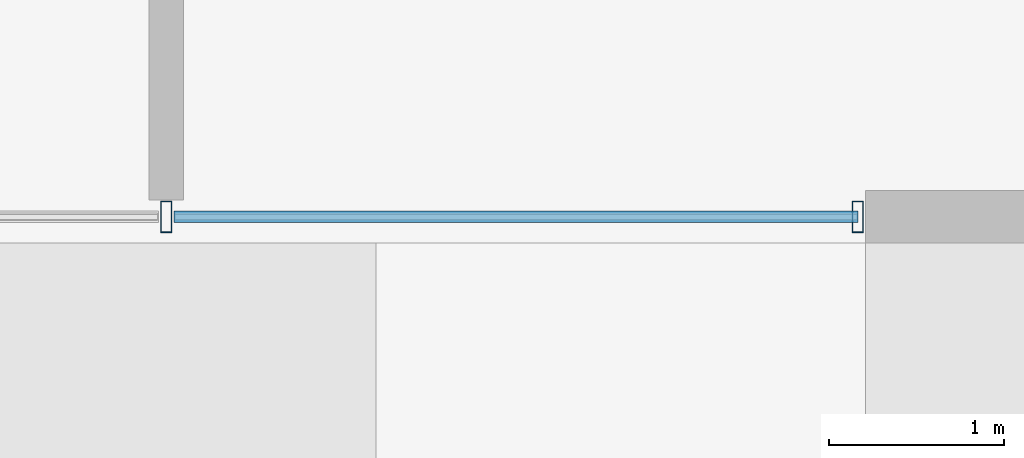
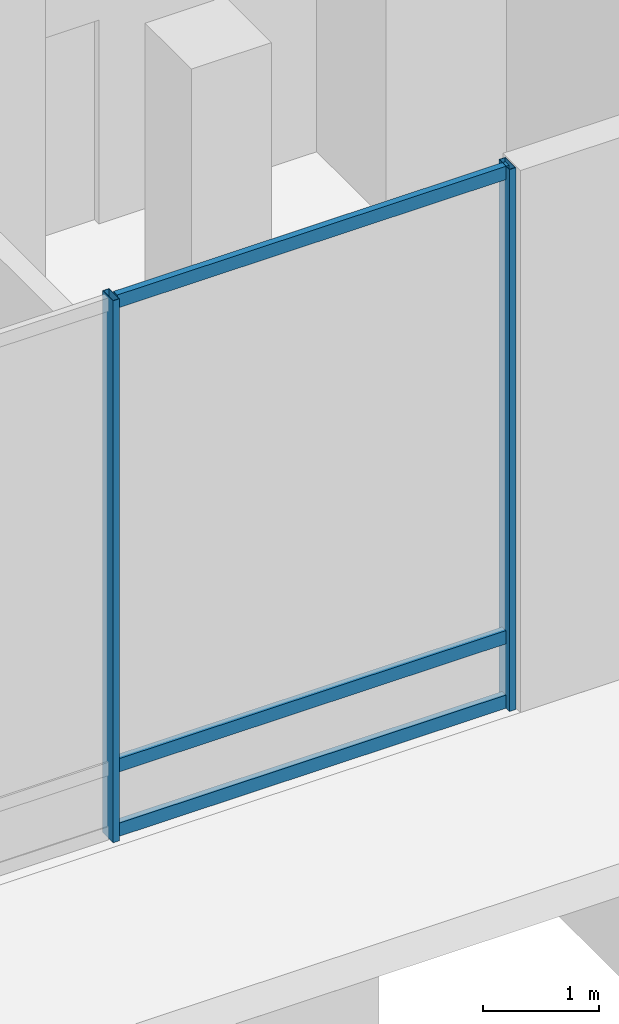
# One storey, part 7 of 34: 5 members, 1 element without a shape of its own.
"""IFC4 building model written with IfcOpenShell, lengths in metres."""

from ifc_helpers import new_model, si_unit, direction, frame, origin, origin_2d, place, context, subcontext, project, spatial, hollow_rectangle, extrude, material, layer, layer_set, material_profile, profile_set, type_object, element, aggregate, save


model = new_model("IFC4")

# Units and contexts
model_context = context("Model", 3, precision=1e-05, world=origin(), true_north=direction((0.0, 1.0)))
body_context = subcontext(model_context, "Body", "Model", "MODEL_VIEW")
ifc_project = project(units=[si_unit("LENGTHUNIT", "METRE"), si_unit("AREAUNIT", "SQUARE_METRE"), si_unit("VOLUMEUNIT", "CUBIC_METRE"), si_unit("PLANEANGLEUNIT", "RADIAN"), si_unit("MASSUNIT", "GRAM", prefix="KILO")], contexts=[model_context])

# Site, building, storey
site_placement = place(None, origin())
site = spatial("IfcSite", under=ifc_project, at=site_placement, CompositionType="ELEMENT")
building_placement = place(site_placement, origin())
building = spatial("IfcBuilding", under=site, at=building_placement, Name="Barlavira Tower and Art Museum", CompositionType="ELEMENT")
storey_placement = place(building_placement, origin())
storey = spatial("IfcBuildingStorey", under=building, at=storey_placement, Name="L00", CompositionType="ELEMENT", Elevation=0.0)

# Curtain wall, members
ifc_material_1 = material(Name="Low-iron coastal laminated glass", Category="glass")
ifc_layer = layer(ifc_material_1, 0.179931640625, Name="Low-iron coastal laminated glass")
ifc_layer_set = layer_set([ifc_layer], Name="Low-iron coastal laminated glass")
curtain_wall_type = type_object("IfcCurtainWallType", Name="Pale-Metal Unitised Curtain Wall Zone 1", PredefinedType="NOTDEFINED", material=ifc_layer_set)
curtain_wall_placement = place(storey_placement, origin())
curtain_wall = element("IfcCurtainWall", 1, at=curtain_wall_placement, inside=storey, type_object=curtain_wall_type, Name="L00 Curtain Wall CW1-L00-S", PredefinedType="NOTDEFINED")
ifc_material_2 = material(Name="Pale anodised aluminium", Category="aluminium")
ifc_material_profile_1 = material_profile(ifc_material_2, hollow_rectangle(XDim=0.06494140625, YDim=0.179931640625, WallThickness=0.00390625, at=origin_2d()), Name="ALU-MULL 65x180x4")
ifc_profile_set_1 = profile_set([ifc_material_profile_1], Name="Pale anodised aluminium")
member_type_1 = type_object("IfcMemberType", Name="Curtain Wall Pale-Metal Mullion 65x180", PredefinedType="MULLION", material=ifc_profile_set_1)
member_1_placement = place(storey_placement, frame((4.0, -27.64990234375, 0.0), z_axis=(0.0, 0.0, 1.0), x_axis=(1.0, 0.0, 0.0)))
member_1 = element("IfcMember", 2, at=member_1_placement, type_object=member_type_1, Name="CW1-L00-S Mullion 3", PredefinedType="MULLION", context=body_context, shape_type="SweptSolid", body=[
    extrude(hollow_rectangle(XDim=0.06494140625, YDim=0.179931640625, WallThickness=0.00390625, at=origin_2d()), origin(), (0.0, 0.0, 1.0), 5.719970703125),
])
member_2_placement = place(storey_placement, frame((7.955078125, -27.64990234375, 0.0), z_axis=(0.0, 0.0, 1.0), x_axis=(1.0, 0.0, 0.0)))
member_2 = element("IfcMember", 3, at=member_2_placement, type_object=member_type_1, Name="CW1-L00-S Mullion 4", PredefinedType="MULLION", context=body_context, shape_type="SweptSolid", body=[
    extrude(hollow_rectangle(XDim=0.06494140625, YDim=0.179931640625, WallThickness=0.00390625, at=origin_2d()), origin(), (0.0, 0.0, 1.0), 5.719970703125),
])
ifc_material_profile_2 = material_profile(ifc_material_2, hollow_rectangle(XDim=0.06494140625, YDim=0.139892578125, WallThickness=0.00390625, at=origin_2d()), Name="ALU-TRAN 65x140x4")
ifc_profile_set_2 = profile_set([ifc_material_profile_2], Name="Pale anodised aluminium")
member_type_2 = type_object("IfcMemberType", Name="Curtain Wall Pale-Metal Transom 65x140", PredefinedType="USERDEFINED", material=ifc_profile_set_2)
member_3_placement = place(storey_placement, frame((4.044921875, -27.64990234375, 0.070068359375), z_axis=(1.0, 0.0, 0.0), x_axis=(0.0, 1.0, 0.0)))
member_3 = element("IfcMember", 4, at=member_3_placement, type_object=member_type_2, Name="CW1-L00-S Transom 3.1", ObjectType="TRANSOM", PredefinedType="USERDEFINED", context=body_context, shape_type="SweptSolid", body=[
    extrude(hollow_rectangle(XDim=0.06494140625, YDim=0.139892578125, WallThickness=0.00390625, at=origin_2d()), origin(), (0.0, 0.0, 1.0), 3.91015625),
])
member_4_placement = place(storey_placement, frame((4.044921875, -27.64990234375, 0.75), z_axis=(1.0, 0.0, 0.0), x_axis=(0.0, 1.0, 0.0)))
member_4 = element("IfcMember", 5, at=member_4_placement, type_object=member_type_2, Name="CW1-L00-S Transom 3.2", ObjectType="TRANSOM", PredefinedType="USERDEFINED", context=body_context, shape_type="SweptSolid", body=[
    extrude(hollow_rectangle(XDim=0.06494140625, YDim=0.139892578125, WallThickness=0.00390625, at=origin_2d()), origin(), (0.0, 0.0, 1.0), 3.91015625),
])
member_5_placement = place(storey_placement, frame((4.044921875, -27.64990234375, 5.64990234375), z_axis=(1.0, 0.0, 0.0), x_axis=(0.0, 1.0, 0.0)))
member_5 = element("IfcMember", 6, at=member_5_placement, type_object=member_type_2, Name="CW1-L00-S Transom 3.3", ObjectType="TRANSOM", PredefinedType="USERDEFINED", context=body_context, shape_type="SweptSolid", body=[
    extrude(hollow_rectangle(XDim=0.06494140625, YDim=0.139892578125, WallThickness=0.00390625, at=origin_2d()), origin(), (0.0, 0.0, 1.0), 3.91015625),
])
aggregate(curtain_wall, [member_1, member_2, member_3, member_4, member_5])

save(model, "model.ifc")
